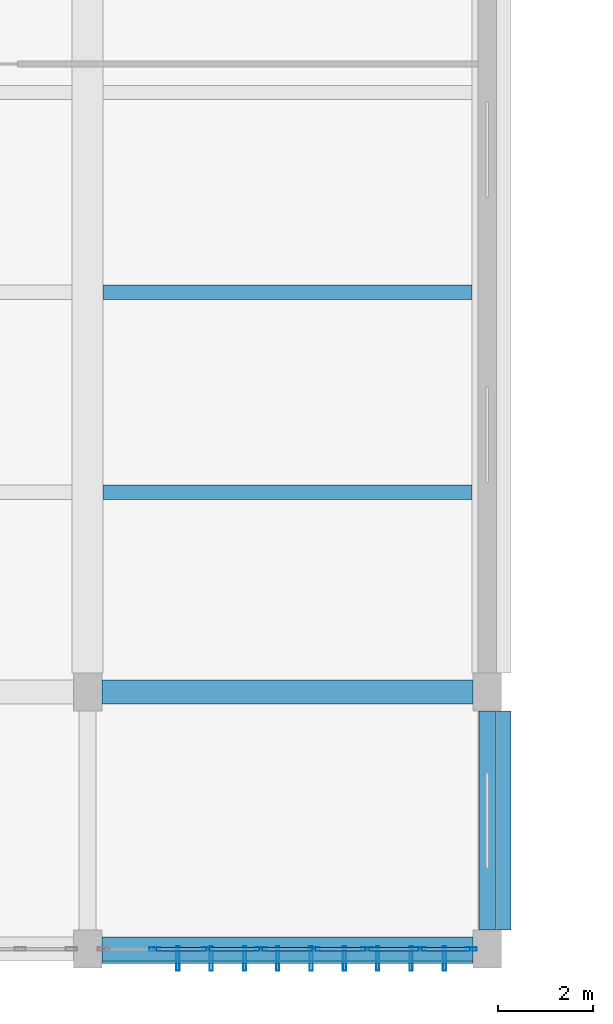
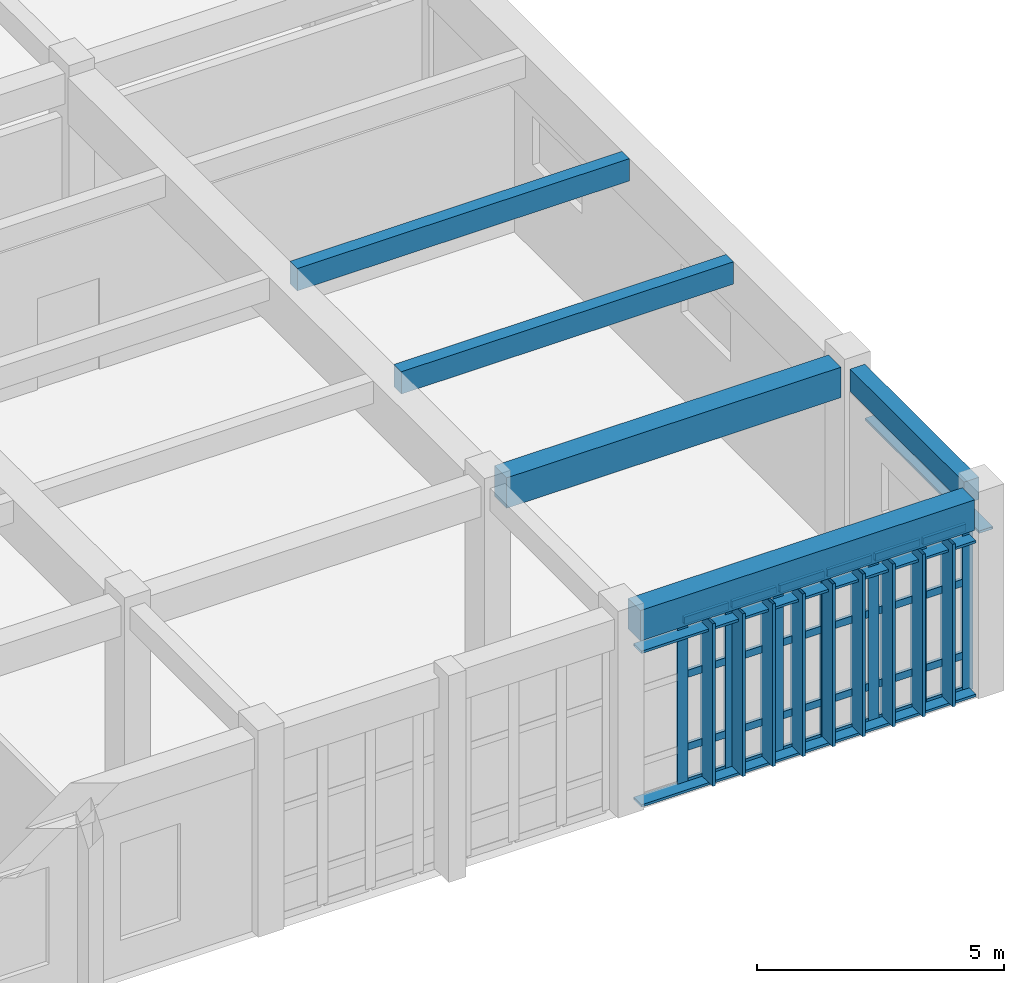
# One storey, part 56 of 106: 43 members, 5 beams, 1 element without a shape of its own.
"""IFC4 building model written with IfcOpenShell, lengths in metres."""

import ifcopenshell
import ifcopenshell.guid

model = None  # the IFC model being written
_history = None  # IfcOwnerHistory: only IFC2X3 demands one
_inside = {}  # id of a spatial element -> (the spatial element, [elements in it])
_under = {}  # id of a project, library or spatial element -> (it, [spatial elements below it])
_declared = {}  # id of a project -> (the project, [libraries it declares])
_typed = {}  # id of a type object -> (the type object, [elements of that type])
_made_of = {}  # id of a material, layer set ... -> (it, [elements and type objects made of it])


def new_model(schema):
    """Start an empty IFC model of exactly this schema.

    Asked for "IFC4X3", IfcOpenShell would pick the latest addendum, in which some entities
    have other attributes; the version numbers below select the first issue.
    IFC2X3 requires an IfcOwnerHistory on every rooted entity: one is made here for all.
    """
    global model, _history
    if schema == "IFC4X3":
        model = ifcopenshell.file(schema_version=(4, 3, 0, 0))
    else:
        model = ifcopenshell.file(schema=schema)
    _inside.clear()
    _under.clear()
    _declared.clear()
    _typed.clear()
    _made_of.clear()
    _history = None
    if model.schema == "IFC2X3":
        org = make("IfcOrganization", Name="unknown")
        user = make(
            "IfcPersonAndOrganization",
            ThePerson=make("IfcPerson", FamilyName="unknown"),
            TheOrganization=org,
        )
        app = make(
            "IfcApplication",
            ApplicationDeveloper=org,
            Version="unknown",
            ApplicationFullName="unknown",
            ApplicationIdentifier="unknown",
        )
        _history = make(
            "IfcOwnerHistory",
            OwningUser=user,
            OwningApplication=app,
            ChangeAction="ADDED",
            CreationDate=0,
        )
    return model


def make(cls, **values):
    """One entity of the class cls with the attributes given. An attribute that is None is left unset."""
    return model.create_entity(
        cls, **{name: value for name, value in values.items() if value is not None}
    )


def rooted(cls, **values):
    """An entity with a GlobalId (a new one), such as an element, a storey or a relation."""
    return make(cls, GlobalId=ifcopenshell.guid.new(), OwnerHistory=_history, **values)


def si_unit(unit_type, name, prefix=None):
    """IfcSIUnit, for example si_unit("LENGTHUNIT", "METRE", prefix="MILLI")."""
    return make("IfcSIUnit", UnitType=unit_type, Prefix=prefix, Name=name)


def assignment(units):
    """IfcUnitAssignment: the units of a project."""
    return None if units is None else make("IfcUnitAssignment", Units=units)


def point(xyz):
    """IfcCartesianPoint."""
    return None if xyz is None else make("IfcCartesianPoint", Coordinates=xyz)


def direction(xyz):
    """IfcDirection."""
    return None if xyz is None else make("IfcDirection", DirectionRatios=xyz)


def frame(location, z_axis=None, x_axis=None):
    """IfcAxis2Placement3D, a coordinate frame: its origin and axes. An axis left out is left unset."""
    return make(
        "IfcAxis2Placement3D",
        Location=point(location),
        Axis=direction(z_axis),
        RefDirection=direction(x_axis),
    )


def frame_2d(location, x_axis=None):
    """IfcAxis2Placement2D, a coordinate frame in the plane: its origin and x axis."""
    return make(
        "IfcAxis2Placement2D", Location=point(location), RefDirection=direction(x_axis)
    )


def origin():
    """The frame at (0, 0, 0) with its axes left unset."""
    return frame((0.0, 0.0, 0.0))


def origin_2d():
    """The frame at (0, 0) in the plane with its x axis left unset."""
    return frame_2d((0.0, 0.0))


def place(relative_to, where):
    """IfcLocalPlacement: puts the frame where relative to a parent placement (None: the world)."""
    return make(
        "IfcLocalPlacement", PlacementRelTo=relative_to, RelativePlacement=where
    )


def context(
    kind, dimensions, precision=None, world=None, true_north=None, identifier=None
):
    """IfcGeometricRepresentationContext, for example the 3D "Model" context."""
    return make(
        "IfcGeometricRepresentationContext",
        ContextIdentifier=identifier,
        ContextType=kind,
        CoordinateSpaceDimension=dimensions,
        Precision=precision,
        WorldCoordinateSystem=world,
        TrueNorth=true_north,
    )


def subcontext(parent, identifier, kind, view, scale=None):
    """IfcGeometricRepresentationSubContext, for example "Body" below "Model"."""
    return make(
        "IfcGeometricRepresentationSubContext",
        ContextIdentifier=identifier,
        ContextType=kind,
        ParentContext=parent,
        TargetScale=scale,
        TargetView=view,
    )


def project(units=None, contexts=None):
    """IfcProject with its units and contexts."""
    return rooted(
        "IfcProject",
        Name="project",
        RepresentationContexts=contexts,
        UnitsInContext=assignment(units),
    )


def spatial(cls, under=None, at=None, **own):
    """A site, building, storey or space (cls), placed at a placement, below another one or the project."""
    s = rooted(cls, ObjectPlacement=at, **own)
    if under is not None:
        _under.setdefault(under.id(), (under, []))[1].append(s)
    return s


def profile(cls, at=None, kind="AREA", **sizes):
    """A parametric profile (cls). Its sizes go by their IFC names, for example OverallWidth=200.0."""
    return make(cls, ProfileType=kind, Position=at, **sizes)


def rectangle(**sizes):
    """IfcRectangleProfileDef."""
    return profile("IfcRectangleProfileDef", **sizes)


def hollow_rectangle(**sizes):
    """IfcRectangleHollowProfileDef."""
    return profile("IfcRectangleHollowProfileDef", **sizes)


def extrude(swept, where, along, depth):
    """IfcExtrudedAreaSolid: the profile swept, set in the frame where, extruded along a direction by depth."""
    return make(
        "IfcExtrudedAreaSolid",
        SweptArea=swept,
        Position=where,
        ExtrudedDirection=direction(along),
        Depth=depth,
    )


def shape(context_of_items, identifier, shape_type, items):
    """IfcShapeRepresentation: the items that make up one representation, for example the "Body"."""
    return make(
        "IfcShapeRepresentation",
        ContextOfItems=context_of_items,
        RepresentationIdentifier=identifier,
        RepresentationType=shape_type,
        Items=items,
    )


def material(Name=None, Category=None):
    """IfcMaterial."""
    return make("IfcMaterial", Name=Name, Category=Category)


def layer(
    of_material, thickness, ventilated=None, Name=None, Category=None, Priority=None
):
    """IfcMaterialLayer: one layer of a wall or slab, of a material (None: an air gap)."""
    return make(
        "IfcMaterialLayer",
        Material=of_material,
        LayerThickness=thickness,
        IsVentilated=ventilated,
        Name=Name,
        Category=Category,
        Priority=Priority,
    )


def layer_set(layers, Name=None):
    """IfcMaterialLayerSet."""
    return make("IfcMaterialLayerSet", MaterialLayers=layers, LayerSetName=Name)


def material_profile(
    of_material, cross_section, Name=None, Category=None, Priority=None
):
    """IfcMaterialProfile: a cross section and its material."""
    return make(
        "IfcMaterialProfile",
        Name=Name,
        Material=of_material,
        Profile=cross_section,
        Priority=Priority,
        Category=Category,
    )


def profile_set(profiles, Name=None, composite=None):
    """IfcMaterialProfileSet."""
    return make(
        "IfcMaterialProfileSet",
        Name=Name,
        MaterialProfiles=profiles,
        CompositeProfile=composite,
    )


def made_of(thing, what):
    """Note that an element or type object is made of a material, layer set ...; save() writes the relation."""
    if what is not None:
        _made_of.setdefault(what.id(), (what, []))[1].append(thing)
    return thing


def type_object(cls, material=None, **own):
    """A type object (cls), such as IfcWallType, which elements share."""
    return made_of(rooted(cls, **own), material)


def element(
    cls,
    number,
    at=None,
    inside=None,
    cuts=None,
    type_object=None,
    material=None,
    context=None,
    identifier="Body",
    shape_type=None,
    held_by="IfcProductDefinitionShape",
    body=None,
    shapes=None,
    **own,
):
    """One element of the class cls, such as IfcWall. Its Tag is "e" and its number.

    at: its placement. inside: the storey or other place that contains it. cuts: it is an
    opening in that element (IfcRelVoidsElement). A single representation is given by context,
    identifier, shape_type and body (its items); several are given by shapes. held_by: the class
    of the entity that holds the representations. save() writes the other relations.
    """
    e = rooted(cls, Tag="e%d" % number, ObjectPlacement=at, **own)
    if body is not None:
        shapes = [shape(context, identifier, shape_type, body)]
    if shapes is not None:
        e.Representation = make(held_by, Representations=shapes)
    if inside is not None:
        _inside.setdefault(inside.id(), (inside, []))[1].append(e)
    if cuts is not None:
        rooted(
            "IfcRelVoidsElement", RelatingBuildingElement=cuts, RelatedOpeningElement=e
        )
    if type_object is not None:
        _typed.setdefault(type_object.id(), (type_object, []))[1].append(e)
    return made_of(e, material)


def aggregate(whole, parts):
    """IfcRelAggregates: a whole, such as a stair, and the parts it consists of."""
    return rooted("IfcRelAggregates", RelatingObject=whole, RelatedObjects=parts)


def save(model, path):
    """Write the relations noted so far, then the file.

    IfcRelAggregates (storeys below a building ...), IfcRelContainedInSpatialStructure (elements
    in a storey), IfcRelDefinesByType, IfcRelAssociatesMaterial and IfcRelDeclares: one each for
    every whole, place, type object, material and project.
    """
    for whole, parts in _under.values():
        aggregate(whole, parts)
    for where, things in _inside.values():
        rooted(
            "IfcRelContainedInSpatialStructure",
            RelatedElements=things,
            RelatingStructure=where,
        )
    for kind, things in _typed.values():
        rooted("IfcRelDefinesByType", RelatedObjects=things, RelatingType=kind)
    for what, things in _made_of.values():
        rooted("IfcRelAssociatesMaterial", RelatedObjects=things, RelatingMaterial=what)
    for by, libraries in _declared.values():
        rooted("IfcRelDeclares", RelatingContext=by, RelatedDefinitions=libraries)
    model.write(path)


model = new_model("IFC4")

# Units and contexts
model_context = context("Model", 3, precision=1e-05, world=origin(), true_north=direction((0.0, 1.0)))
body_context = subcontext(model_context, "Body", "Model", "MODEL_VIEW")
ifc_project = project(units=[si_unit("LENGTHUNIT", "METRE"), si_unit("AREAUNIT", "SQUARE_METRE"), si_unit("VOLUMEUNIT", "CUBIC_METRE"), si_unit("PLANEANGLEUNIT", "RADIAN"), si_unit("MASSUNIT", "GRAM", prefix="KILO")], contexts=[model_context])

# Site, building, storey
site_placement = place(None, origin())
site = spatial("IfcSite", under=ifc_project, at=site_placement, CompositionType="ELEMENT")
building_placement = place(site_placement, origin())
building = spatial("IfcBuilding", under=site, at=building_placement, Name="Krzemoval Escarpment Law Courts", CompositionType="ELEMENT")
storey_placement = place(building_placement, frame((0.0, 0.0, 5.10009765625)))
storey = spatial("IfcBuildingStorey", under=building, at=storey_placement, Name="L01", CompositionType="ELEMENT", Elevation=5.10009765625)

# Beams
ifc_material_1 = material(Name="Concrete C40/50", Category="concrete")
ifc_material_profile_1 = material_profile(ifc_material_1, rectangle(XDim=0.35009765625, YDim=0.550048828125, at=origin_2d()), Name="RCB 350x550")
ifc_profile_set_1 = profile_set([ifc_material_profile_1], Name="Concrete C40/50")
beam_type_1 = type_object("IfcBeamType", Name="BM-RC-350x550", PredefinedType="BEAM", material=ifc_profile_set_1)
beam_placement = place(storey_placement, frame((151.199951171875, 0.39990234375, 4.544921875), z_axis=(0.0, 1.0, 0.0), x_axis=(-1.0, 0.0, 0.0)))
element("IfcBeam", 1, at=beam_placement, inside=storey, type_object=beam_type_1, Name="Beam FG-L01-1552", PredefinedType="BEAM", context=body_context, shape_type="SweptSolid", body=[
    extrude(rectangle(XDim=0.35009765625, YDim=0.550048828125, at=origin_2d()), origin(), (0.0, 0.0, 1.0), 4.60009765625),
])
ifc_material_2 = material(Name="Concrete C40/50", Category="concrete")
ifc_material_profile_2 = material_profile(ifc_material_2, rectangle(XDim=0.5, YDim=0.75, at=origin_2d()), Name="RCB 500x750")
ifc_profile_set_2 = profile_set([ifc_material_profile_2], Name="Concrete C40/50")
beam_type_2 = type_object("IfcBeamType", Name="BM-RC-500x750", PredefinedType="BEAM", material=ifc_profile_set_2)
for number, where, z_axis, x_axis, name in (
    (2, (143.10009765625, 0.0, 4.44482421875), (1.0, 0.0, 0.0), (0.0, 1.0, 0.0), "Beam FG-L01-1162"),
    (3, (143.10009765625, 5.39990234375, 4.44482421875), (1.0, 0.0, 0.0), (0.0, 1.0, 0.0), "Beam FG-L01-1180"),
):
    element("IfcBeam", number, at=place(storey_placement, frame(where, z_axis=z_axis, x_axis=x_axis)), inside=storey, type_object=beam_type_2, Name=name, PredefinedType="BEAM", context=body_context, shape_type="SweptSolid", body=[
        extrude(rectangle(XDim=0.5, YDim=0.75, at=origin_2d()), origin(), (0.0, 0.0, 1.0), 7.7998046875),
    ])

# Curtain wall, members
ifc_material_3 = material(Name="Aluminium 6063-T6", Category="aluminium")
ifc_layer = layer(ifc_material_3, 0.239990234375)
ifc_layer_set = layer_set([ifc_layer], Name="Aluminium 6063-T6")
curtain_wall_type = type_object("IfcCurtainWallType", Name="CW-LIBR-4800", PredefinedType="USERDEFINED", material=ifc_layer_set)
curtain_wall_placement = place(storey_placement, origin())
curtain_wall = element("IfcCurtainWall", 4, at=curtain_wall_placement, inside=storey, type_object=curtain_wall_type, Name="Unitised Curtain Wall FCW-L01-041", ObjectType="UNITISED_CURTAIN_WALL", PredefinedType="USERDEFINED")
ifc_material_4 = material(Name="Aluminium 6063-T6", Category="aluminium")
ifc_material_profile_3 = material_profile(ifc_material_4, hollow_rectangle(XDim=0.074951171875, YDim=0.239990234375, WallThickness=0.0048828125, at=origin_2d()), Name="ALU M75x240")
ifc_profile_set_3 = profile_set([ifc_material_profile_3], Name="Aluminium 6063-T6")
member_type_1 = type_object("IfcMemberType", Name="CWM-75x240", PredefinedType="MULLION", material=ifc_profile_set_3)
member_1_placement = place(storey_placement, frame((150.862548828125, 0.0, 0.0), z_axis=(0.0, 0.0, 1.0), x_axis=(0.0, -1.0, 0.0)))
member_1 = element("IfcMember", 5, at=member_1_placement, type_object=member_type_1, Name="FCW-L01-041 mullion 1", PredefinedType="MULLION", context=body_context, shape_type="SweptSolid", body=[
    extrude(hollow_rectangle(XDim=0.074951171875, YDim=0.239990234375, WallThickness=0.0048828125, at=origin_2d()), origin(), (0.0, 0.0, 1.0), 4.06982421875),
])
member_2_placement = place(storey_placement, frame((149.78564453125, 0.0, 0.0), z_axis=(0.0, 0.0, 1.0), x_axis=(0.0, -1.0, 0.0)))
member_2 = element("IfcMember", 6, at=member_2_placement, type_object=member_type_1, Name="FCW-L01-041 mullion 2", PredefinedType="MULLION", context=body_context, shape_type="SweptSolid", body=[
    extrude(hollow_rectangle(XDim=0.074951171875, YDim=0.239990234375, WallThickness=0.0048828125, at=origin_2d()), origin(), (0.0, 0.0, 1.0), 4.06982421875),
])
member_3_placement = place(storey_placement, frame((148.67138671875, 0.0, 0.0), z_axis=(0.0, 0.0, 1.0), x_axis=(0.0, -1.0, 0.0)))
member_3 = element("IfcMember", 7, at=member_3_placement, type_object=member_type_1, Name="FCW-L01-041 mullion 3", PredefinedType="MULLION", context=body_context, shape_type="SweptSolid", body=[
    extrude(hollow_rectangle(XDim=0.074951171875, YDim=0.239990234375, WallThickness=0.0048828125, at=origin_2d()), origin(), (0.0, 0.0, 1.0), 4.06982421875),
])
member_4_placement = place(storey_placement, frame((147.55712890625, 0.0, 0.0), z_axis=(0.0, 0.0, 1.0), x_axis=(0.0, -1.0, 0.0)))
member_4 = element("IfcMember", 8, at=member_4_placement, type_object=member_type_1, Name="FCW-L01-041 mullion 4", PredefinedType="MULLION", context=body_context, shape_type="SweptSolid", body=[
    extrude(hollow_rectangle(XDim=0.074951171875, YDim=0.239990234375, WallThickness=0.0048828125, at=origin_2d()), origin(), (0.0, 0.0, 1.0), 4.06982421875),
])
member_5_placement = place(storey_placement, frame((146.44287109375, 0.0, 0.0), z_axis=(0.0, 0.0, 1.0), x_axis=(0.0, -1.0, 0.0)))
member_5 = element("IfcMember", 9, at=member_5_placement, type_object=member_type_1, Name="FCW-L01-041 mullion 5", PredefinedType="MULLION", context=body_context, shape_type="SweptSolid", body=[
    extrude(hollow_rectangle(XDim=0.074951171875, YDim=0.239990234375, WallThickness=0.0048828125, at=origin_2d()), origin(), (0.0, 0.0, 1.0), 4.06982421875),
])
member_6_placement = place(storey_placement, frame((145.32861328125, 0.0, 0.0), z_axis=(0.0, 0.0, 1.0), x_axis=(0.0, -1.0, 0.0)))
member_6 = element("IfcMember", 10, at=member_6_placement, type_object=member_type_1, Name="FCW-L01-041 mullion 6", PredefinedType="MULLION", context=body_context, shape_type="SweptSolid", body=[
    extrude(hollow_rectangle(XDim=0.074951171875, YDim=0.239990234375, WallThickness=0.0048828125, at=origin_2d()), origin(), (0.0, 0.0, 1.0), 4.06982421875),
])
member_7_placement = place(storey_placement, frame((144.21435546875, 0.0, 0.0), z_axis=(0.0, 0.0, 1.0), x_axis=(0.0, -1.0, 0.0)))
member_7 = element("IfcMember", 11, at=member_7_placement, type_object=member_type_1, Name="FCW-L01-041 mullion 7", PredefinedType="MULLION", context=body_context, shape_type="SweptSolid", body=[
    extrude(hollow_rectangle(XDim=0.074951171875, YDim=0.239990234375, WallThickness=0.0048828125, at=origin_2d()), origin(), (0.0, 0.0, 1.0), 4.06982421875),
])
ifc_material_5 = material(Name="Aluminium 6063-T6", Category="aluminium")
ifc_material_profile_4 = material_profile(ifc_material_5, hollow_rectangle(XDim=0.074951171875, YDim=0.179931640625, WallThickness=0.0048828125, at=origin_2d()), Name="ALU T75x180")
ifc_profile_set_4 = profile_set([ifc_material_profile_4], Name="Aluminium 6063-T6")
member_type_2 = type_object("IfcMemberType", Name="CWT-75x180", PredefinedType="USERDEFINED", material=ifc_profile_set_4)
member_8_placement = place(storey_placement, frame((150.824951171875, 0.0, 0.037353515625), z_axis=(-1.0, 0.0, 0.0), x_axis=(0.0, -1.0, 0.0)))
member_8 = element("IfcMember", 12, at=member_8_placement, type_object=member_type_2, Name="FCW-L01-041 transom 1.1", ObjectType="TRANSOM", PredefinedType="USERDEFINED", context=body_context, shape_type="SweptSolid", body=[
    extrude(hollow_rectangle(XDim=0.074951171875, YDim=0.179931640625, WallThickness=0.0048828125, at=origin_2d()), origin(), (0.0, 0.0, 1.0), 1.001708984375),
])
member_9_placement = place(storey_placement, frame((150.824951171875, 0.0, 0.89990234375), z_axis=(-1.0, 0.0, 0.0), x_axis=(0.0, -1.0, 0.0)))
member_9 = element("IfcMember", 13, at=member_9_placement, type_object=member_type_2, Name="FCW-L01-041 transom 1.2", ObjectType="TRANSOM", PredefinedType="USERDEFINED", context=body_context, shape_type="SweptSolid", body=[
    extrude(hollow_rectangle(XDim=0.074951171875, YDim=0.179931640625, WallThickness=0.0048828125, at=origin_2d()), origin(), (0.0, 0.0, 1.0), 1.001708984375),
])
member_10_placement = place(storey_placement, frame((150.824951171875, 0.0, 2.699951171875), z_axis=(-1.0, 0.0, 0.0), x_axis=(0.0, -1.0, 0.0)))
member_10 = element("IfcMember", 14, at=member_10_placement, type_object=member_type_2, Name="FCW-L01-041 transom 1.3", ObjectType="TRANSOM", PredefinedType="USERDEFINED", context=body_context, shape_type="SweptSolid", body=[
    extrude(hollow_rectangle(XDim=0.074951171875, YDim=0.179931640625, WallThickness=0.0048828125, at=origin_2d()), origin(), (0.0, 0.0, 1.0), 1.001708984375),
])
member_11_placement = place(storey_placement, frame((150.824951171875, 0.0, 4.032470703125), z_axis=(-1.0, 0.0, 0.0), x_axis=(0.0, -1.0, 0.0)))
member_11 = element("IfcMember", 15, at=member_11_placement, type_object=member_type_2, Name="FCW-L01-041 transom 1.4", ObjectType="TRANSOM", PredefinedType="USERDEFINED", context=body_context, shape_type="SweptSolid", body=[
    extrude(hollow_rectangle(XDim=0.074951171875, YDim=0.179931640625, WallThickness=0.0048828125, at=origin_2d()), origin(), (0.0, 0.0, 1.0), 1.001708984375),
])
member_12_placement = place(storey_placement, frame((149.748291015625, 0.0, 0.037353515625), z_axis=(-1.0, 0.0, 0.0), x_axis=(0.0, -1.0, 0.0)))
member_12 = element("IfcMember", 16, at=member_12_placement, type_object=member_type_2, Name="FCW-L01-041 transom 2.1", ObjectType="TRANSOM", PredefinedType="USERDEFINED", context=body_context, shape_type="SweptSolid", body=[
    extrude(hollow_rectangle(XDim=0.074951171875, YDim=0.179931640625, WallThickness=0.0048828125, at=origin_2d()), origin(), (0.0, 0.0, 1.0), 1.039306640625),
])
member_13_placement = place(storey_placement, frame((149.748291015625, 0.0, 0.89990234375), z_axis=(-1.0, 0.0, 0.0), x_axis=(0.0, -1.0, 0.0)))
member_13 = element("IfcMember", 17, at=member_13_placement, type_object=member_type_2, Name="FCW-L01-041 transom 2.2", ObjectType="TRANSOM", PredefinedType="USERDEFINED", context=body_context, shape_type="SweptSolid", body=[
    extrude(hollow_rectangle(XDim=0.074951171875, YDim=0.179931640625, WallThickness=0.0048828125, at=origin_2d()), origin(), (0.0, 0.0, 1.0), 1.039306640625),
])
member_14_placement = place(storey_placement, frame((149.748291015625, 0.0, 2.699951171875), z_axis=(-1.0, 0.0, 0.0), x_axis=(0.0, -1.0, 0.0)))
member_14 = element("IfcMember", 18, at=member_14_placement, type_object=member_type_2, Name="FCW-L01-041 transom 2.3", ObjectType="TRANSOM", PredefinedType="USERDEFINED", context=body_context, shape_type="SweptSolid", body=[
    extrude(hollow_rectangle(XDim=0.074951171875, YDim=0.179931640625, WallThickness=0.0048828125, at=origin_2d()), origin(), (0.0, 0.0, 1.0), 1.039306640625),
])
member_15_placement = place(storey_placement, frame((149.748291015625, 0.0, 4.032470703125), z_axis=(-1.0, 0.0, 0.0), x_axis=(0.0, -1.0, 0.0)))
member_15 = element("IfcMember", 19, at=member_15_placement, type_object=member_type_2, Name="FCW-L01-041 transom 2.4", ObjectType="TRANSOM", PredefinedType="USERDEFINED", context=body_context, shape_type="SweptSolid", body=[
    extrude(hollow_rectangle(XDim=0.074951171875, YDim=0.179931640625, WallThickness=0.0048828125, at=origin_2d()), origin(), (0.0, 0.0, 1.0), 1.039306640625),
])
member_16_placement = place(storey_placement, frame((148.634033203125, 0.0, 0.037353515625), z_axis=(-1.0, 0.0, 0.0), x_axis=(0.0, -1.0, 0.0)))
member_16 = element("IfcMember", 20, at=member_16_placement, type_object=member_type_2, Name="FCW-L01-041 transom 3.1", ObjectType="TRANSOM", PredefinedType="USERDEFINED", context=body_context, shape_type="SweptSolid", body=[
    extrude(hollow_rectangle(XDim=0.074951171875, YDim=0.179931640625, WallThickness=0.0048828125, at=origin_2d()), origin(), (0.0, 0.0, 1.0), 1.039306640625),
])
member_17_placement = place(storey_placement, frame((148.634033203125, 0.0, 0.89990234375), z_axis=(-1.0, 0.0, 0.0), x_axis=(0.0, -1.0, 0.0)))
member_17 = element("IfcMember", 21, at=member_17_placement, type_object=member_type_2, Name="FCW-L01-041 transom 3.2", ObjectType="TRANSOM", PredefinedType="USERDEFINED", context=body_context, shape_type="SweptSolid", body=[
    extrude(hollow_rectangle(XDim=0.074951171875, YDim=0.179931640625, WallThickness=0.0048828125, at=origin_2d()), origin(), (0.0, 0.0, 1.0), 1.039306640625),
])
member_18_placement = place(storey_placement, frame((148.634033203125, 0.0, 2.699951171875), z_axis=(-1.0, 0.0, 0.0), x_axis=(0.0, -1.0, 0.0)))
member_18 = element("IfcMember", 22, at=member_18_placement, type_object=member_type_2, Name="FCW-L01-041 transom 3.3", ObjectType="TRANSOM", PredefinedType="USERDEFINED", context=body_context, shape_type="SweptSolid", body=[
    extrude(hollow_rectangle(XDim=0.074951171875, YDim=0.179931640625, WallThickness=0.0048828125, at=origin_2d()), origin(), (0.0, 0.0, 1.0), 1.039306640625),
])
member_19_placement = place(storey_placement, frame((148.634033203125, 0.0, 4.032470703125), z_axis=(-1.0, 0.0, 0.0), x_axis=(0.0, -1.0, 0.0)))
member_19 = element("IfcMember", 23, at=member_19_placement, type_object=member_type_2, Name="FCW-L01-041 transom 3.4", ObjectType="TRANSOM", PredefinedType="USERDEFINED", context=body_context, shape_type="SweptSolid", body=[
    extrude(hollow_rectangle(XDim=0.074951171875, YDim=0.179931640625, WallThickness=0.0048828125, at=origin_2d()), origin(), (0.0, 0.0, 1.0), 1.039306640625),
])
member_20_placement = place(storey_placement, frame((147.51953125, 0.0, 0.037353515625), z_axis=(-1.0, 0.0, 0.0), x_axis=(0.0, -1.0, 0.0)))
member_20 = element("IfcMember", 24, at=member_20_placement, type_object=member_type_2, Name="FCW-L01-041 transom 4.1", ObjectType="TRANSOM", PredefinedType="USERDEFINED", context=body_context, shape_type="SweptSolid", body=[
    extrude(hollow_rectangle(XDim=0.074951171875, YDim=0.179931640625, WallThickness=0.0048828125, at=origin_2d()), origin(), (0.0, 0.0, 1.0), 1.0390625),
])
member_21_placement = place(storey_placement, frame((147.51953125, 0.0, 0.89990234375), z_axis=(-1.0, 0.0, 0.0), x_axis=(0.0, -1.0, 0.0)))
member_21 = element("IfcMember", 25, at=member_21_placement, type_object=member_type_2, Name="FCW-L01-041 transom 4.2", ObjectType="TRANSOM", PredefinedType="USERDEFINED", context=body_context, shape_type="SweptSolid", body=[
    extrude(hollow_rectangle(XDim=0.074951171875, YDim=0.179931640625, WallThickness=0.0048828125, at=origin_2d()), origin(), (0.0, 0.0, 1.0), 1.0390625),
])
member_22_placement = place(storey_placement, frame((147.51953125, 0.0, 2.699951171875), z_axis=(-1.0, 0.0, 0.0), x_axis=(0.0, -1.0, 0.0)))
member_22 = element("IfcMember", 26, at=member_22_placement, type_object=member_type_2, Name="FCW-L01-041 transom 4.3", ObjectType="TRANSOM", PredefinedType="USERDEFINED", context=body_context, shape_type="SweptSolid", body=[
    extrude(hollow_rectangle(XDim=0.074951171875, YDim=0.179931640625, WallThickness=0.0048828125, at=origin_2d()), origin(), (0.0, 0.0, 1.0), 1.0390625),
])
member_23_placement = place(storey_placement, frame((147.51953125, 0.0, 4.032470703125), z_axis=(-1.0, 0.0, 0.0), x_axis=(0.0, -1.0, 0.0)))
member_23 = element("IfcMember", 27, at=member_23_placement, type_object=member_type_2, Name="FCW-L01-041 transom 4.4", ObjectType="TRANSOM", PredefinedType="USERDEFINED", context=body_context, shape_type="SweptSolid", body=[
    extrude(hollow_rectangle(XDim=0.074951171875, YDim=0.179931640625, WallThickness=0.0048828125, at=origin_2d()), origin(), (0.0, 0.0, 1.0), 1.0390625),
])
member_24_placement = place(storey_placement, frame((146.4052734375, 0.0, 0.037353515625), z_axis=(-1.0, 0.0, 0.0), x_axis=(0.0, -1.0, 0.0)))
member_24 = element("IfcMember", 28, at=member_24_placement, type_object=member_type_2, Name="FCW-L01-041 transom 5.1", ObjectType="TRANSOM", PredefinedType="USERDEFINED", context=body_context, shape_type="SweptSolid", body=[
    extrude(hollow_rectangle(XDim=0.074951171875, YDim=0.179931640625, WallThickness=0.0048828125, at=origin_2d()), origin(), (0.0, 0.0, 1.0), 1.039306640625),
])
member_25_placement = place(storey_placement, frame((146.4052734375, 0.0, 0.89990234375), z_axis=(-1.0, 0.0, 0.0), x_axis=(0.0, -1.0, 0.0)))
member_25 = element("IfcMember", 29, at=member_25_placement, type_object=member_type_2, Name="FCW-L01-041 transom 5.2", ObjectType="TRANSOM", PredefinedType="USERDEFINED", context=body_context, shape_type="SweptSolid", body=[
    extrude(hollow_rectangle(XDim=0.074951171875, YDim=0.179931640625, WallThickness=0.0048828125, at=origin_2d()), origin(), (0.0, 0.0, 1.0), 1.039306640625),
])
member_26_placement = place(storey_placement, frame((146.4052734375, 0.0, 2.699951171875), z_axis=(-1.0, 0.0, 0.0), x_axis=(0.0, -1.0, 0.0)))
member_26 = element("IfcMember", 30, at=member_26_placement, type_object=member_type_2, Name="FCW-L01-041 transom 5.3", ObjectType="TRANSOM", PredefinedType="USERDEFINED", context=body_context, shape_type="SweptSolid", body=[
    extrude(hollow_rectangle(XDim=0.074951171875, YDim=0.179931640625, WallThickness=0.0048828125, at=origin_2d()), origin(), (0.0, 0.0, 1.0), 1.039306640625),
])
member_27_placement = place(storey_placement, frame((146.4052734375, 0.0, 4.032470703125), z_axis=(-1.0, 0.0, 0.0), x_axis=(0.0, -1.0, 0.0)))
member_27 = element("IfcMember", 31, at=member_27_placement, type_object=member_type_2, Name="FCW-L01-041 transom 5.4", ObjectType="TRANSOM", PredefinedType="USERDEFINED", context=body_context, shape_type="SweptSolid", body=[
    extrude(hollow_rectangle(XDim=0.074951171875, YDim=0.179931640625, WallThickness=0.0048828125, at=origin_2d()), origin(), (0.0, 0.0, 1.0), 1.039306640625),
])
member_28_placement = place(storey_placement, frame((145.291015625, 0.0, 0.037353515625), z_axis=(-1.0, 0.0, 0.0), x_axis=(0.0, -1.0, 0.0)))
member_28 = element("IfcMember", 32, at=member_28_placement, type_object=member_type_2, Name="FCW-L01-041 transom 6.1", ObjectType="TRANSOM", PredefinedType="USERDEFINED", context=body_context, shape_type="SweptSolid", body=[
    extrude(hollow_rectangle(XDim=0.074951171875, YDim=0.179931640625, WallThickness=0.0048828125, at=origin_2d()), origin(), (0.0, 0.0, 1.0), 1.039306640625),
])
member_29_placement = place(storey_placement, frame((145.291015625, 0.0, 0.89990234375), z_axis=(-1.0, 0.0, 0.0), x_axis=(0.0, -1.0, 0.0)))
member_29 = element("IfcMember", 33, at=member_29_placement, type_object=member_type_2, Name="FCW-L01-041 transom 6.2", ObjectType="TRANSOM", PredefinedType="USERDEFINED", context=body_context, shape_type="SweptSolid", body=[
    extrude(hollow_rectangle(XDim=0.074951171875, YDim=0.179931640625, WallThickness=0.0048828125, at=origin_2d()), origin(), (0.0, 0.0, 1.0), 1.039306640625),
])
member_30_placement = place(storey_placement, frame((145.291015625, 0.0, 2.699951171875), z_axis=(-1.0, 0.0, 0.0), x_axis=(0.0, -1.0, 0.0)))
member_30 = element("IfcMember", 34, at=member_30_placement, type_object=member_type_2, Name="FCW-L01-041 transom 6.3", ObjectType="TRANSOM", PredefinedType="USERDEFINED", context=body_context, shape_type="SweptSolid", body=[
    extrude(hollow_rectangle(XDim=0.074951171875, YDim=0.179931640625, WallThickness=0.0048828125, at=origin_2d()), origin(), (0.0, 0.0, 1.0), 1.039306640625),
])
member_31_placement = place(storey_placement, frame((145.291015625, 0.0, 4.032470703125), z_axis=(-1.0, 0.0, 0.0), x_axis=(0.0, -1.0, 0.0)))
member_31 = element("IfcMember", 35, at=member_31_placement, type_object=member_type_2, Name="FCW-L01-041 transom 6.4", ObjectType="TRANSOM", PredefinedType="USERDEFINED", context=body_context, shape_type="SweptSolid", body=[
    extrude(hollow_rectangle(XDim=0.074951171875, YDim=0.179931640625, WallThickness=0.0048828125, at=origin_2d()), origin(), (0.0, 0.0, 1.0), 1.039306640625),
])
aggregate(curtain_wall, [member_1, member_2, member_3, member_4, member_5, member_6, member_7, member_8, member_9, member_10, member_11, member_12, member_13, member_14, member_15, member_16, member_17, member_18, member_19, member_20, member_21, member_22, member_23, member_24, member_25, member_26, member_27, member_28, member_29, member_30, member_31])

# Beams
ifc_material_6 = material(Name="Concrete C40/50", Category="concrete")
ifc_material_profile_5 = material_profile(ifc_material_6, rectangle(XDim=0.300048828125, YDim=0.550048828125, at=origin_2d()), Name="RCB 300x550")
ifc_profile_set_5 = profile_set([ifc_material_profile_5], Name="Concrete C40/50")
beam_type_3 = type_object("IfcBeamType", Name="JST-RC-300x550", PredefinedType="JOIST", material=ifc_profile_set_5)
for number, where, z_axis, x_axis, name in (
    (36, (143.125, 9.60009765625, 4.544921875), (1.0, 0.0, 0.0), (0.0, 1.0, 0.0), "Secondary Joist FJ-L01-1695"),
    (37, (143.125, 13.800048828125, 4.544921875), (1.0, 0.0, 0.0), (0.0, 1.0, 0.0), "Secondary Joist FJ-L01-1696"),
):
    element("IfcBeam", number, at=place(storey_placement, frame(where, z_axis=z_axis, x_axis=x_axis)), inside=storey, type_object=beam_type_3, Name=name, PredefinedType="JOIST", context=body_context, shape_type="SweptSolid", body=[
        extrude(rectangle(XDim=0.300048828125, YDim=0.550048828125, at=origin_2d()), origin(), (0.0, 0.0, 1.0), 7.75),
    ])

# Members
ifc_material_7 = material(Name="Anodised Aluminium Alloy 6063-T6", Category="aluminium")
ifc_material_profile_6 = material_profile(ifc_material_7, hollow_rectangle(XDim=0.06005859375, YDim=0.320068359375, WallThickness=0.00390625, at=origin_2d()), Name="ALU LVR 60x320")
ifc_profile_set_6 = profile_set([ifc_material_profile_6], Name="Anodised Aluminium Alloy 6063-T6")
member_type_3 = type_object("IfcMemberType", Name="LVR-ALU-320", PredefinedType="USERDEFINED", material=ifc_profile_set_6)
member_32_placement = place(storey_placement, frame((151.5400390625, 5.0, 3.4599609375), z_axis=(0.0, -1.0, 0.0), x_axis=(0.0, 0.0, 1.0)))
element("IfcMember", 38, at=member_32_placement, inside=storey, type_object=member_type_3, Name="Window Sunshade Louvre FLV-L01-0141", ObjectType="SUNSHADE_LOUVRE", PredefinedType="USERDEFINED", context=body_context, shape_type="SweptSolid", body=[
    extrude(hollow_rectangle(XDim=0.06005859375, YDim=0.320068359375, WallThickness=0.00390625, at=origin_2d()), origin(), (0.0, 0.0, 1.0), 4.60009765625),
])
for number, where, z_axis, x_axis, name in (
    (39, (150.89990234375, -0.139892578125, 0.02978515625), (-1.0, 0.0, 0.0), (0.0, 0.0, 1.0), "Sunshade Support Rail FSR-L01-0142"),
    (40, (150.89990234375, -0.139892578125, 3.81982421875), (-1.0, 0.0, 0.0), (0.0, 0.0, 1.0), "Sunshade Support Rail FSR-L01-0143"),
):
    element("IfcMember", number, at=place(storey_placement, frame(where, z_axis=z_axis, x_axis=x_axis)), inside=storey, type_object=member_type_3, Name=name, ObjectType="SUNSHADE_LOUVRE", PredefinedType="USERDEFINED", context=body_context, shape_type="SweptSolid", body=[
        extrude(hollow_rectangle(XDim=0.06005859375, YDim=0.320068359375, WallThickness=0.00390625, at=origin_2d()), origin(), (0.0, 0.0, 1.0), 7.7998046875),
    ])
ifc_material_8 = material(Name="Anodised Aluminium Alloy 6063-T6", Category="aluminium")
ifc_material_profile_7 = material_profile(ifc_material_8, hollow_rectangle(XDim=0.06494140625, YDim=0.52001953125, WallThickness=0.00439453125, at=origin_2d()), Name="ALU LVR 65x520")
ifc_profile_set_7 = profile_set([ifc_material_profile_7], Name="Anodised Aluminium Alloy 6063-T6")
member_type_4 = type_object("IfcMemberType", Name="LVR-ALU-520", PredefinedType="USERDEFINED", material=ifc_profile_set_7)
for number, where, z_axis, x_axis, name in (
    (41, (150.300048828125, -0.199951171875, 0.059814453125), (0.0, 0.0, 1.0), (1.0, 0.0, 0.0), "Sunshade Louvre Fin FLV-L01-0144"),
    (42, (149.60009765625, -0.199951171875, 0.059814453125), (0.0, 0.0, 1.0), (1.0, 0.0, 0.0), "Sunshade Louvre Fin FLV-L01-0145"),
    (43, (148.89990234375, -0.199951171875, 0.059814453125), (0.0, 0.0, 1.0), (1.0, 0.0, 0.0), "Sunshade Louvre Fin FLV-L01-0146"),
    (44, (148.199951171875, -0.199951171875, 0.059814453125), (0.0, 0.0, 1.0), (1.0, 0.0, 0.0), "Sunshade Louvre Fin FLV-L01-0147"),
    (45, (147.5, -0.199951171875, 0.059814453125), (0.0, 0.0, 1.0), (1.0, 0.0, 0.0), "Sunshade Louvre Fin FLV-L01-0148"),
    (46, (146.800048828125, -0.199951171875, 0.059814453125), (0.0, 0.0, 1.0), (1.0, 0.0, 0.0), "Sunshade Louvre Fin FLV-L01-0149"),
    (47, (146.10009765625, -0.199951171875, 0.059814453125), (0.0, 0.0, 1.0), (1.0, 0.0, 0.0), "Sunshade Louvre Fin FLV-L01-0150"),
    (48, (145.39990234375, -0.199951171875, 0.059814453125), (0.0, 0.0, 1.0), (1.0, 0.0, 0.0), "Sunshade Louvre Fin FLV-L01-0151"),
    (49, (144.699951171875, -0.199951171875, 0.059814453125), (0.0, 0.0, 1.0), (1.0, 0.0, 0.0), "Sunshade Louvre Fin FLV-L01-0152"),
):
    element("IfcMember", number, at=place(storey_placement, frame(where, z_axis=z_axis, x_axis=x_axis)), inside=storey, type_object=member_type_4, Name=name, ObjectType="SUNSHADE_LOUVRE", PredefinedType="USERDEFINED", context=body_context, shape_type="SweptSolid", body=[
        extrude(hollow_rectangle(XDim=0.06494140625, YDim=0.52001953125, WallThickness=0.00439453125, at=origin_2d()), origin(), (0.0, 0.0, 1.0), 4.010009765625),
    ])

save(model, "model.ifc")
